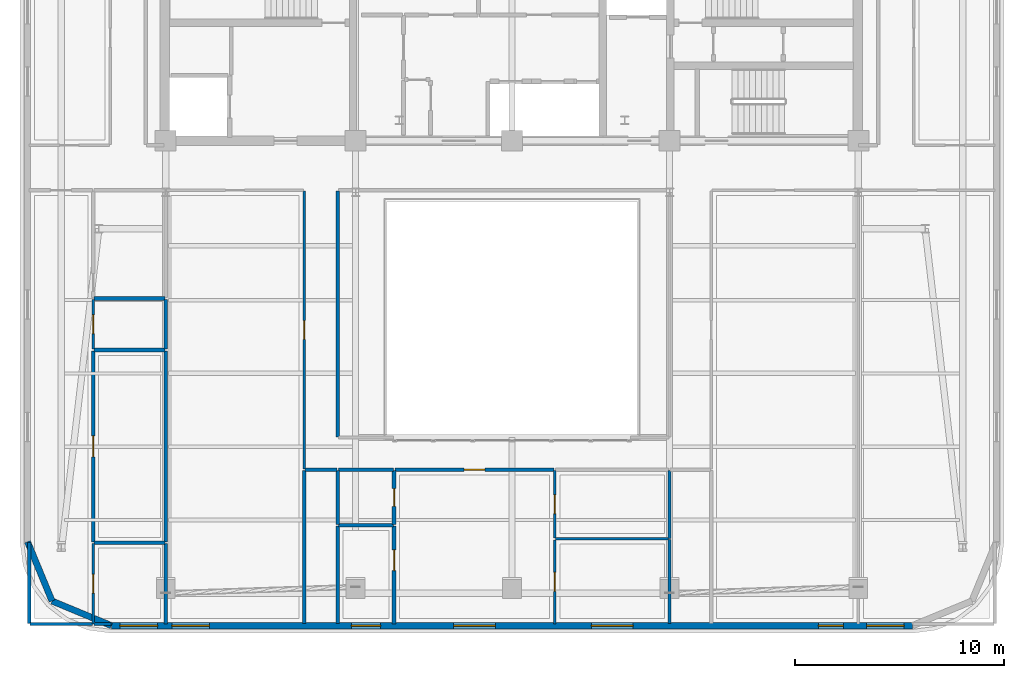
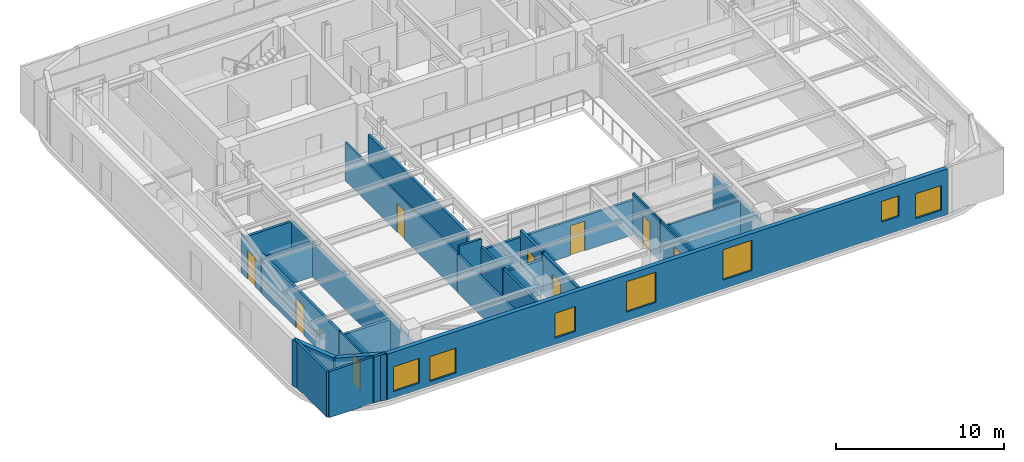
# One storey, part 6 of 14: 31 walls, 9 doors, 7 windows, 16 openings.
"""IFC4 building model written with IfcOpenShell, lengths in metres."""

from ifc_helpers import new_model, si_unit, direction, frame, frame_2d, origin, place, context, subcontext, project, spatial, rectangle, extrude, material, layer, layer_set, type_object, element, fill, save


model = new_model("IFC4")

# Units and contexts
model_context = context("Model", 3, precision=1e-05, world=origin(), true_north=direction((0.0, 1.0)))
body_context = subcontext(model_context, "Body", "Model", "MODEL_VIEW")
ifc_project = project(units=[si_unit("LENGTHUNIT", "METRE"), si_unit("AREAUNIT", "SQUARE_METRE"), si_unit("VOLUMEUNIT", "CUBIC_METRE"), si_unit("PLANEANGLEUNIT", "RADIAN"), si_unit("MASSUNIT", "GRAM", prefix="KILO")], contexts=[model_context])

# Site, building, storey
site_placement = place(None, origin())
site = spatial("IfcSite", under=ifc_project, at=site_placement, CompositionType="ELEMENT")
building_placement = place(site_placement, origin())
building = spatial("IfcBuilding", under=site, at=building_placement, Name="Zarnavel Station Tower", CompositionType="ELEMENT")
storey_placement = place(building_placement, frame((0.0, 0.0, 218.39990234375)))
storey = spatial("IfcBuildingStorey", under=building, at=storey_placement, Name="L59", CompositionType="ELEMENT", Elevation=218.39990234375)

# Walls
ifc_material_1 = material(Name="Precast concrete C45/55 (Dark Basalt Finish)", Category="masonry")
ifc_layer_1 = layer(ifc_material_1, 0.300048828125)
ifc_layer_set_1 = layer_set([ifc_layer_1], Name="EW_BASALT_300")
wall_type_1 = type_object("IfcWallType", Name="EW_BASALT_300", PredefinedType="SOLIDWALL", material=ifc_layer_set_1)
for number, where, z_axis, x_axis, name in (
    (1, (6.75732421875, 5.75732421875, 0.0), (0.0, 0.0, 1.0), (-0.382608747773, 0.923910464346, 0.0), "L59 Exterior Basalt Masonry Frame Wall 10"),
    (2, (9.60009765625, 4.580078125, 0.0), (0.0, 0.0, 1.0), (-0.923910464346, 0.382608747773, 0.0), "L59 Exterior Basalt Masonry Frame Wall 11"),
):
    element("IfcWall", number, at=place(storey_placement, frame(where, z_axis=z_axis, x_axis=x_axis)), inside=storey, type_object=wall_type_1, Name=name, PredefinedType="SOLIDWALL", context=body_context, shape_type="SweptSolid", body=[
        extrude(rectangle(XDim=3.076904296875, YDim=0.300048828125, at=frame_2d((1.53857421875, 0.0))), origin(), (0.0, 0.0, 1.0), 3.340087890625),
    ])

# Wall, openings, windows
wall_1_placement = place(storey_placement, frame((48.0, 4.580078125, 0.0), z_axis=(0.0, 0.0, 1.0), x_axis=(-1.0, 0.0, 0.0)))
wall_1 = element("IfcWall", 3, at=wall_1_placement, inside=storey, type_object=wall_type_1, Name="L59 Exterior Basalt Masonry Frame Wall 12", PredefinedType="SOLIDWALL", context=body_context, shape_type="SweptSolid", body=[
    extrude(rectangle(XDim=38.39990234375, YDim=0.300048828125, at=frame_2d((19.199951171875, 0.0))), origin(), (0.0, 0.0, 1.0), 3.340087890625),
])
opening_1_placement = place(wall_1_placement, frame((36.18994140625, 0.0, 0.47998046875)))
opening_1 = element("IfcOpeningElement", 4, at=opening_1_placement, cuts=wall_1, Name="Opening WN02", PredefinedType="OPENING", context=body_context, shape_type="SweptSolid", body=[
    extrude(rectangle(XDim=1.800048828125, YDim=1.800048828125, at=frame_2d((0.89990234375, 0.89990234375))), frame((0.0, 0.159912109375, 0.0), z_axis=(0.0, -1.0, 0.0), x_axis=(1.0, 0.0, 0.0)), (0.0, 0.0, 1.0), 0.320068359375),
])
opening_2_placement = place(wall_1_placement, frame((33.699951171875, 0.0, 0.340087890625)))
opening_2 = element("IfcOpeningElement", 5, at=opening_2_placement, cuts=wall_1, Name="Opening WN02", PredefinedType="OPENING", context=body_context, shape_type="SweptSolid", body=[
    extrude(rectangle(XDim=1.800048828125, YDim=1.800048828125, at=frame_2d((0.89990234375, 0.89990234375))), frame((0.0, 0.159912109375, 0.0), z_axis=(0.0, -1.0, 0.0), x_axis=(1.0, 0.0, 0.0)), (0.0, 0.0, 1.0), 0.320068359375),
])
opening_3_placement = place(wall_1_placement, frame((20.0, 0.0, 0.64990234375)))
opening_3 = element("IfcOpeningElement", 6, at=opening_3_placement, cuts=wall_1, Name="Opening WN07", PredefinedType="OPENING", context=body_context, shape_type="SweptSolid", body=[
    extrude(rectangle(XDim=2.0, YDim=2.199951171875, at=frame_2d((1.0, 1.10009765625))), frame((0.0, 0.159912109375, 0.0), z_axis=(0.0, -1.0, 0.0), x_axis=(1.0, 0.0, 0.0)), (0.0, 0.0, 1.0), 0.320068359375),
])
opening_4_placement = place(wall_1_placement, frame((25.5, 0.0, 0.47998046875)))
opening_4 = element("IfcOpeningElement", 7, at=opening_4_placement, cuts=wall_1, Name="Opening WN01", PredefinedType="OPENING", context=body_context, shape_type="SweptSolid", body=[
    extrude(rectangle(XDim=1.39990234375, YDim=1.800048828125, at=frame_2d((0.699951171875, 0.89990234375))), frame((0.0, 0.159912109375, 0.0), z_axis=(0.0, -1.0, 0.0), x_axis=(1.0, 0.0, 0.0)), (0.0, 0.0, 1.0), 0.320068359375),
])
opening_5_placement = place(wall_1_placement, frame((13.39990234375, 0.0, 0.64990234375)))
opening_5 = element("IfcOpeningElement", 8, at=opening_5_placement, cuts=wall_1, Name="Opening WN07", PredefinedType="OPENING", context=body_context, shape_type="SweptSolid", body=[
    extrude(rectangle(XDim=2.0, YDim=2.199951171875, at=frame_2d((1.0, 1.10009765625))), frame((0.0, 0.159912109375, 0.0), z_axis=(0.0, -1.0, 0.0), x_axis=(1.0, 0.0, 0.0)), (0.0, 0.0, 1.0), 0.320068359375),
])
opening_6_placement = place(wall_1_placement, frame((3.320068359375, 0.0, 1.050048828125)))
opening_6 = element("IfcOpeningElement", 9, at=opening_6_placement, cuts=wall_1, Name="Opening WN08", PredefinedType="OPENING", context=body_context, shape_type="SweptSolid", body=[
    extrude(rectangle(XDim=1.199951171875, YDim=1.5, at=frame_2d((0.60009765625, 0.75))), frame((0.0, 0.159912109375, 0.0), z_axis=(0.0, -1.0, 0.0), x_axis=(1.0, 0.0, 0.0)), (0.0, 0.0, 1.0), 0.320068359375),
])
opening_7_placement = place(wall_1_placement, frame((0.409912109375, 0.0, 0.47998046875)))
opening_7 = element("IfcOpeningElement", 10, at=opening_7_placement, cuts=wall_1, Name="Opening WN02", PredefinedType="OPENING", context=body_context, shape_type="SweptSolid", body=[
    extrude(rectangle(XDim=1.800048828125, YDim=1.800048828125, at=frame_2d((0.89990234375, 0.89990234375))), frame((0.0, 0.159912109375, 0.0), z_axis=(0.0, -1.0, 0.0), x_axis=(1.0, 0.0, 0.0)), (0.0, 0.0, 1.0), 0.320068359375),
])
ifc_material_2 = material(Name="Thermally Broken Black Aluminium and Low-E Dark Glass", Category="aluminium")
window_type_1 = type_object("IfcWindowType", Name="WN_1200x1500", PartitioningType="SINGLE_PANEL", PredefinedType="WINDOW", material=ifc_material_2)
window_1_placement = place(opening_6_placement, origin())
window_1 = element("IfcWindow", 11, at=window_1_placement, inside=storey, type_object=window_type_1, Name="L59 Recessed Facade Window 06", OverallHeight=1.5, OverallWidth=1.199951171875, PartitioningType="SINGLE_PANEL", PredefinedType="WINDOW", context=body_context, shape_type="SweptSolid", body=[
    extrude(rectangle(XDim=1.199951171875, YDim=1.5, at=frame_2d((0.60009765625, 0.75))), frame((0.0, 0.030029296875, 0.0), z_axis=(0.0, -1.0, 0.0), x_axis=(1.0, 0.0, 0.0)), (0.0, 0.0, 1.0), 0.06005859375),
])
fill(opening_6, window_1)
ifc_material_3 = material(Name="Thermally Broken Black Aluminium and Low-E Dark Glass", Category="aluminium")
window_type_2 = type_object("IfcWindowType", Name="WN_1400x1800", PartitioningType="DOUBLE_PANEL_VERTICAL", PredefinedType="WINDOW", material=ifc_material_3)
window_2_placement = place(opening_4_placement, origin())
window_2 = element("IfcWindow", 12, at=window_2_placement, inside=storey, type_object=window_type_2, Name="L59 Recessed Facade Window 04", OverallHeight=1.800048828125, OverallWidth=1.39990234375, PartitioningType="SINGLE_PANEL", PredefinedType="WINDOW", context=body_context, shape_type="SweptSolid", body=[
    extrude(rectangle(XDim=1.39990234375, YDim=1.800048828125, at=frame_2d((0.699951171875, 0.89990234375))), frame((0.0, 0.030029296875, 0.0), z_axis=(0.0, -1.0, 0.0), x_axis=(1.0, 0.0, 0.0)), (0.0, 0.0, 1.0), 0.06005859375),
])
fill(opening_4, window_2)
ifc_material_4 = material(Name="Thermally Broken Black Aluminium and Low-E Dark Glass", Category="aluminium")
window_type_3 = type_object("IfcWindowType", Name="WN_1800x1800", PartitioningType="DOUBLE_PANEL_VERTICAL", PredefinedType="WINDOW", material=ifc_material_4)
window_3_placement = place(opening_1_placement, origin())
window_3 = element("IfcWindow", 13, at=window_3_placement, inside=storey, type_object=window_type_3, Name="L59 Recessed Facade Window 01", OverallHeight=1.800048828125, OverallWidth=1.800048828125, PartitioningType="SINGLE_PANEL", PredefinedType="WINDOW", context=body_context, shape_type="SweptSolid", body=[
    extrude(rectangle(XDim=1.800048828125, YDim=1.800048828125, at=frame_2d((0.89990234375, 0.89990234375))), frame((0.0, 0.030029296875, 0.0), z_axis=(0.0, -1.0, 0.0), x_axis=(1.0, 0.0, 0.0)), (0.0, 0.0, 1.0), 0.06005859375),
])
fill(opening_1, window_3)
window_4_placement = place(opening_2_placement, origin())
window_4 = element("IfcWindow", 14, at=window_4_placement, inside=storey, type_object=window_type_3, Name="L59 Recessed Facade Window 02", OverallHeight=1.800048828125, OverallWidth=1.800048828125, PartitioningType="SINGLE_PANEL", PredefinedType="WINDOW", context=body_context, shape_type="SweptSolid", body=[
    extrude(rectangle(XDim=1.800048828125, YDim=1.800048828125, at=frame_2d((0.89990234375, 0.89990234375))), frame((0.0, 0.030029296875, 0.0), z_axis=(0.0, -1.0, 0.0), x_axis=(1.0, 0.0, 0.0)), (0.0, 0.0, 1.0), 0.06005859375),
])
fill(opening_2, window_4)
window_5_placement = place(opening_7_placement, origin())
window_5 = element("IfcWindow", 15, at=window_5_placement, inside=storey, type_object=window_type_3, Name="L59 Recessed Facade Window 07", OverallHeight=1.800048828125, OverallWidth=1.800048828125, PartitioningType="SINGLE_PANEL", PredefinedType="WINDOW", context=body_context, shape_type="SweptSolid", body=[
    extrude(rectangle(XDim=1.800048828125, YDim=1.800048828125, at=frame_2d((0.89990234375, 0.89990234375))), frame((0.0, 0.030029296875, 0.0), z_axis=(0.0, -1.0, 0.0), x_axis=(1.0, 0.0, 0.0)), (0.0, 0.0, 1.0), 0.06005859375),
])
fill(opening_7, window_5)
ifc_material_5 = material(Name="Thermally Broken Black Aluminium and Low-E Dark Glass", Category="aluminium")
window_type_4 = type_object("IfcWindowType", Name="WN_2000x2200", PartitioningType="TRIPLE_PANEL_VERTICAL", PredefinedType="WINDOW", material=ifc_material_5)
window_6_placement = place(opening_3_placement, origin())
window_6 = element("IfcWindow", 16, at=window_6_placement, inside=storey, type_object=window_type_4, Name="L59 Recessed Facade Window 03", OverallHeight=2.199951171875, OverallWidth=2.0, PartitioningType="SINGLE_PANEL", PredefinedType="WINDOW", context=body_context, shape_type="SweptSolid", body=[
    extrude(rectangle(XDim=2.0, YDim=2.199951171875, at=frame_2d((1.0, 1.10009765625))), frame((0.0, 0.030029296875, 0.0), z_axis=(0.0, -1.0, 0.0), x_axis=(1.0, 0.0, 0.0)), (0.0, 0.0, 1.0), 0.06005859375),
])
fill(opening_3, window_6)
window_7_placement = place(opening_5_placement, origin())
window_7 = element("IfcWindow", 17, at=window_7_placement, inside=storey, type_object=window_type_4, Name="L59 Recessed Facade Window 05", OverallHeight=2.199951171875, OverallWidth=2.0, PartitioningType="SINGLE_PANEL", PredefinedType="WINDOW", context=body_context, shape_type="SweptSolid", body=[
    extrude(rectangle(XDim=2.0, YDim=2.199951171875, at=frame_2d((1.0, 1.10009765625))), frame((0.0, 0.030029296875, 0.0), z_axis=(0.0, -1.0, 0.0), x_axis=(1.0, 0.0, 0.0)), (0.0, 0.0, 1.0), 0.06005859375),
])
fill(opening_5, window_7)

# Wall, opening, door
ifc_material_6 = material(Name="Gypsum Twin-Stud Acoustic Fire Partition", Category="concrete")
ifc_layer_2 = layer(ifc_material_6, 0.159912109375)
ifc_layer_set_2 = layer_set([ifc_layer_2], Name="PT_DEMISE_160")
wall_type_2 = type_object("IfcWallType", Name="PT_DEMISE_160", PredefinedType="PARTITIONING", material=ifc_layer_set_2)
wall_2_placement = place(storey_placement, frame((23.18994140625, 12.050048828125, 0.0), z_axis=(0.0, 0.0, 1.0), x_axis=(1.0, 0.0, 0.0)))
wall_2 = element("IfcWall", 18, at=wall_2_placement, inside=storey, type_object=wall_type_2, Name="L59 Partition COR-AS-US1LV", PredefinedType="PARTITIONING", context=body_context, shape_type="SweptSolid", body=[
    extrude(rectangle(XDim=7.6201171875, YDim=0.159912109375, at=frame_2d((3.81005859375, 0.0))), origin(), (0.0, 0.0, 1.0), 2.52001953125),
])
opening_8_placement = place(wall_2_placement, frame((3.31005859375, 0.0, 0.0)))
opening_8 = element("IfcOpeningElement", 19, at=opening_8_placement, cuts=wall_2, Name="Opening FD02", PredefinedType="OPENING", context=body_context, shape_type="SweptSolid", body=[
    extrude(rectangle(XDim=1.0, YDim=2.14990234375, at=frame_2d((0.5, 1.074951171875))), frame((0.0, 0.08984375, 0.0), z_axis=(0.0, -1.0, 0.0), x_axis=(1.0, 0.0, 0.0)), (0.0, 0.0, 1.0), 0.179931640625),
])
ifc_material_7 = material(Name="Painted Galvanised Steel and Hardwood Leaf", Category="steel")
door_type_1 = type_object("IfcDoorType", Name="ID_ENTRY_1000", OperationType="NOTDEFINED", PredefinedType="DOOR", material=ifc_material_7)
door_1_placement = place(opening_8_placement, origin())
door_1 = element("IfcDoor", 20, at=door_1_placement, inside=storey, type_object=door_type_1, Name="L59 Door COR-AS-US1LV", OperationType="SINGLE_SWING_RIGHT", OverallHeight=2.14990234375, OverallWidth=1.0, PredefinedType="DOOR", context=body_context, shape_type="SweptSolid", body=[
    extrude(rectangle(XDim=1.0, YDim=2.14990234375, at=frame_2d((0.5, 1.074951171875))), frame((0.0, 0.02490234375, 0.0), z_axis=(0.0, -1.0, 0.0), x_axis=(1.0, 0.0, 0.0)), (0.0, 0.0, 1.0), 0.050048828125),
])
fill(opening_8, door_1)

# Walls
wall_3_placement = place(storey_placement, frame((12.199951171875, 4.659912109375, 0.0), z_axis=(0.0, 0.0, 1.0), x_axis=(0.0, 1.0, 0.0)))
element("IfcWall", 21, at=wall_3_placement, inside=storey, type_object=wall_type_2, Name="L59 Partition UW1B1-L59LIB", PredefinedType="PARTITIONING", context=body_context, shape_type="SweptSolid", body=[
    extrude(rectangle(XDim=3.85498046875, YDim=0.159912109375, at=frame_2d((1.927490234375, 0.0))), origin(), (0.0, 0.0, 1.0), 2.52001953125),
])
wall_4_placement = place(storey_placement, frame((12.199951171875, 17.827880859375, 0.0), z_axis=(0.0, 0.0, 1.0), x_axis=(0.0, 1.0, 0.0)))
element("IfcWall", 22, at=wall_4_placement, inside=storey, type_object=wall_type_2, Name="L59 Partition UW1UT-L59LIB", PredefinedType="PARTITIONING", context=body_context, shape_type="SweptSolid", body=[
    extrude(rectangle(XDim=2.38916015625, YDim=0.159912109375, at=frame_2d((1.194580078125, 0.0))), origin(), (0.0, 0.0, 1.0), 2.52001953125),
])
wall_5_placement = place(storey_placement, frame((18.8798828125, 12.050048828125, 0.0), z_axis=(0.0, 0.0, 1.0), x_axis=(1.0, 0.0, 0.0)))
element("IfcWall", 23, at=wall_5_placement, inside=storey, type_object=wall_type_2, Name="L59 Enclosure Wall COR-AW", PredefinedType="PARTITIONING", context=body_context, shape_type="SweptSolid", body=[
    extrude(rectangle(XDim=1.5400390625, YDim=0.159912109375, at=frame_2d((0.77001953125, 0.0))), origin(), (0.0, 0.0, 1.0), 3.340087890625),
])
wall_6_placement = place(storey_placement, frame((20.449951171875, 13.6298828125, 0.0), z_axis=(0.0, 0.0, 1.0), x_axis=(0.0, 1.0, 0.0)))
element("IfcWall", 24, at=wall_6_placement, inside=storey, type_object=wall_type_2, Name="L59 Enclosure Wall COR-AW", PredefinedType="PARTITIONING", context=body_context, shape_type="SweptSolid", body=[
    extrude(rectangle(XDim=11.7900390625, YDim=0.159912109375, at=frame_2d((5.89501953125, 0.0))), origin(), (0.0, 0.0, 1.0), 2.77001953125),
])
wall_7_placement = place(storey_placement, frame((5.68994140625, 4.659912109375, 0.0), z_axis=(0.0, 0.0, 1.0), x_axis=(1.0, 0.0, 0.0)))
element("IfcWall", 25, at=wall_7_placement, inside=storey, type_object=wall_type_2, Name="L59 Enclosure Wall UW1LV", PredefinedType="PARTITIONING", context=body_context, shape_type="SweptSolid", body=[
    extrude(rectangle(XDim=3.01416015625, YDim=0.159912109375, at=frame_2d((1.507080078125, 0.0))), origin(), (0.0, 0.0, 1.0), 3.340087890625),
])
wall_8_placement = place(storey_placement, frame((5.659912109375, 4.68994140625, 0.0), z_axis=(0.0, 0.0, 1.0), x_axis=(0.0, 1.0, 0.0)))
element("IfcWall", 26, at=wall_8_placement, inside=storey, type_object=wall_type_2, Name="L59 Enclosure Wall UW1LV", PredefinedType="PARTITIONING", context=body_context, shape_type="SweptSolid", body=[
    extrude(rectangle(XDim=3.880126953125, YDim=0.159912109375, at=frame_2d((1.93994140625, 0.0))), origin(), (0.0, 0.0, 1.0), 3.340087890625),
])
wall_9_placement = place(storey_placement, frame((8.763916015625, 4.659912109375, 0.0), z_axis=(0.0, 0.0, 1.0), x_axis=(1.0, 0.0, 0.0)))
element("IfcWall", 27, at=wall_9_placement, inside=storey, type_object=wall_type_2, Name="L59 Enclosure Wall UW1B1", PredefinedType="PARTITIONING", context=body_context, shape_type="SweptSolid", body=[
    extrude(rectangle(XDim=0.80615234375, YDim=0.159912109375, at=frame_2d((0.403076171875, 0.0))), origin(), (0.0, 0.0, 1.0), 3.340087890625),
])
wall_10_placement = place(storey_placement, frame((18.85009765625, 4.68994140625, 0.0), z_axis=(0.0, 0.0, 1.0), x_axis=(0.0, 1.0, 0.0)))
element("IfcWall", 28, at=wall_10_placement, inside=storey, type_object=wall_type_2, Name="L59 Enclosure Wall L59LIB", PredefinedType="PARTITIONING", context=body_context, shape_type="SweptSolid", body=[
    extrude(rectangle(XDim=7.330078125, YDim=0.159912109375, at=frame_2d((3.6650390625, 0.0))), origin(), (0.0, 0.0, 1.0), 2.77001953125),
])
wall_11_placement = place(storey_placement, frame((20.449951171875, 4.68994140625, 0.0), z_axis=(0.0, 0.0, 1.0), x_axis=(0.0, 1.0, 0.0)))
element("IfcWall", 29, at=wall_11_placement, inside=storey, type_object=wall_type_2, Name="L59 Enclosure Wall US1KT", PredefinedType="PARTITIONING", context=body_context, shape_type="SweptSolid", body=[
    extrude(rectangle(XDim=4.670166015625, YDim=0.159912109375, at=frame_2d((2.3349609375, 0.0))), origin(), (0.0, 0.0, 1.0), 2.77001953125),
])
wall_12_placement = place(storey_placement, frame((20.449951171875, 9.419921875, 0.0), z_axis=(0.0, 0.0, 1.0), x_axis=(0.0, 1.0, 0.0)))
element("IfcWall", 30, at=wall_12_placement, inside=storey, type_object=wall_type_2, Name="L59 Enclosure Wall US1BA", PredefinedType="PARTITIONING", context=body_context, shape_type="SweptSolid", body=[
    extrude(rectangle(XDim=2.60009765625, YDim=0.159912109375, at=frame_2d((1.300048828125, 0.0))), origin(), (0.0, 0.0, 1.0), 2.77001953125),
])
wall_13_placement = place(storey_placement, frame((36.35009765625, 4.68994140625, 0.0), z_axis=(0.0, 0.0, 1.0), x_axis=(0.0, 1.0, 0.0)))
element("IfcWall", 31, at=wall_13_placement, inside=storey, type_object=wall_type_2, Name="L59 Enclosure Wall US1B1", PredefinedType="PARTITIONING", context=body_context, shape_type="SweptSolid", body=[
    extrude(rectangle(XDim=4.01513671875, YDim=0.159912109375, at=frame_2d((2.007568359375, 0.0))), origin(), (0.0, 0.0, 1.0), 2.52001953125),
])
wall_14_placement = place(storey_placement, frame((36.35009765625, 8.764892578125, 0.0), z_axis=(0.0, 0.0, 1.0), x_axis=(0.0, 1.0, 0.0)))
element("IfcWall", 32, at=wall_14_placement, inside=storey, type_object=wall_type_2, Name="L59 Enclosure Wall US1B2", PredefinedType="PARTITIONING", context=body_context, shape_type="SweptSolid", body=[
    extrude(rectangle(XDim=3.255126953125, YDim=0.159912109375, at=frame_2d((1.62744140625, 0.0))), origin(), (0.0, 0.0, 1.0), 2.52001953125),
])

# Wall, opening, door
ifc_material_8 = material(Name="Gypsum Metal-Stud Interior Partition", Category="concrete")
ifc_layer_3 = layer(ifc_material_8, 0.1201171875)
ifc_layer_set_3 = layer_set([ifc_layer_3], Name="PT_ROOM_120")
wall_type_3 = type_object("IfcWallType", Name="PT_ROOM_120", PredefinedType="PARTITIONING", material=ifc_layer_set_3)
wall_15_placement = place(storey_placement, frame((18.85009765625, 12.090087890625, 0.0), z_axis=(0.0, 0.0, 1.0), x_axis=(0.0, 1.0, 0.0)))
wall_15 = element("IfcWall", 33, at=wall_15_placement, inside=storey, type_object=wall_type_3, Name="L59 Partition COR-AW-L59LIB", PredefinedType="PARTITIONING", context=body_context, shape_type="SweptSolid", body=[
    extrude(rectangle(XDim=13.31982421875, YDim=0.1201171875, at=frame_2d((6.659912109375, 0.0))), origin(), (0.0, 0.0, 1.0), 2.77001953125),
])
opening_9_placement = place(wall_15_placement, frame((6.2099609375, 0.0, 0.0)))
opening_9 = element("IfcOpeningElement", 34, at=opening_9_placement, cuts=wall_15, Name="Opening ID01", PredefinedType="OPENING", context=body_context, shape_type="SweptSolid", body=[
    extrude(rectangle(XDim=0.89990234375, YDim=2.10009765625, at=frame_2d((0.449951171875, 1.050048828125))), frame((0.0, 0.070068359375, 0.0), z_axis=(0.0, -1.0, 0.0), x_axis=(1.0, 0.0, 0.0)), (0.0, 0.0, 1.0), 0.14013671875),
])
ifc_material_9 = material(Name="Painted Galvanised Steel and Hardwood Leaf", Category="steel")
door_type_2 = type_object("IfcDoorType", Name="ID_ROOM_900", OperationType="NOTDEFINED", PredefinedType="DOOR", material=ifc_material_9)
door_2_placement = place(opening_9_placement, origin())
door_2 = element("IfcDoor", 35, at=door_2_placement, inside=storey, type_object=door_type_2, Name="L59 Door COR-AW-L59LIB", OperationType="SINGLE_SWING_RIGHT", OverallHeight=2.10009765625, OverallWidth=0.89990234375, PredefinedType="DOOR", context=body_context, shape_type="SweptSolid", body=[
    extrude(rectangle(XDim=0.89990234375, YDim=2.10009765625, at=frame_2d((0.449951171875, 1.050048828125))), frame((0.0, 0.02490234375, 0.0), z_axis=(0.0, -1.0, 0.0), x_axis=(1.0, 0.0, 0.0)), (0.0, 0.0, 1.0), 0.050048828125),
])
fill(opening_9, door_2)

wall_16_placement = place(storey_placement, frame((8.73388671875, 4.659912109375, 0.0), z_axis=(0.0, 0.0, 1.0), x_axis=(0.0, 1.0, 0.0)))
wall_16 = element("IfcWall", 36, at=wall_16_placement, inside=storey, type_object=wall_type_3, Name="L59 Partition UW1LV-UW1B1", PredefinedType="PARTITIONING", context=body_context, shape_type="SweptSolid", body=[
    extrude(rectangle(XDim=3.85498046875, YDim=0.1201171875, at=frame_2d((1.927490234375, 0.0))), origin(), (0.0, 0.0, 1.0), 2.820068359375),
])
opening_10_placement = place(wall_16_placement, frame((1.4775390625, 0.0, 0.0)))
opening_10 = element("IfcOpeningElement", 37, at=opening_10_placement, cuts=wall_16, Name="Opening ID01", PredefinedType="OPENING", context=body_context, shape_type="SweptSolid", body=[
    extrude(rectangle(XDim=0.89990234375, YDim=2.10009765625, at=frame_2d((0.449951171875, 1.050048828125))), frame((0.0, 0.070068359375, 0.0), z_axis=(0.0, -1.0, 0.0), x_axis=(1.0, 0.0, 0.0)), (0.0, 0.0, 1.0), 0.14013671875),
])
door_3_placement = place(opening_10_placement, origin())
door_3 = element("IfcDoor", 38, at=door_3_placement, inside=storey, type_object=door_type_2, Name="L59 Door UW1LV-UW1B1", OperationType="SINGLE_SWING_RIGHT", OverallHeight=2.10009765625, OverallWidth=0.89990234375, PredefinedType="DOOR", context=body_context, shape_type="SweptSolid", body=[
    extrude(rectangle(XDim=0.89990234375, YDim=2.10009765625, at=frame_2d((0.449951171875, 1.050048828125))), frame((0.0, 0.02490234375, 0.0), z_axis=(0.0, -1.0, 0.0), x_axis=(1.0, 0.0, 0.0)), (0.0, 0.0, 1.0), 0.050048828125),
])
fill(opening_10, door_3)

wall_17_placement = place(storey_placement, frame((8.73388671875, 17.827880859375, 0.0), z_axis=(0.0, 0.0, 1.0), x_axis=(0.0, 1.0, 0.0)))
wall_17 = element("IfcWall", 39, at=wall_17_placement, inside=storey, type_object=wall_type_3, Name="L59 Partition UW1LV-UW1UT", PredefinedType="PARTITIONING", context=body_context, shape_type="SweptSolid", body=[
    extrude(rectangle(XDim=2.38916015625, YDim=0.1201171875, at=frame_2d((1.194580078125, 0.0))), origin(), (0.0, 0.0, 1.0), 2.820068359375),
])
opening_11_placement = place(wall_17_placement, frame((0.744384765625, 0.0, 0.0)))
opening_11 = element("IfcOpeningElement", 40, at=opening_11_placement, cuts=wall_17, Name="Opening ID01", PredefinedType="OPENING", context=body_context, shape_type="SweptSolid", body=[
    extrude(rectangle(XDim=0.89990234375, YDim=2.10009765625, at=frame_2d((0.449951171875, 1.050048828125))), frame((0.0, 0.070068359375, 0.0), z_axis=(0.0, -1.0, 0.0), x_axis=(1.0, 0.0, 0.0)), (0.0, 0.0, 1.0), 0.14013671875),
])
door_4_placement = place(opening_11_placement, origin())
door_4 = element("IfcDoor", 41, at=door_4_placement, inside=storey, type_object=door_type_2, Name="L59 Door UW1LV-UW1UT", OperationType="SINGLE_SWING_RIGHT", OverallHeight=2.10009765625, OverallWidth=0.89990234375, PredefinedType="DOOR", context=body_context, shape_type="SweptSolid", body=[
    extrude(rectangle(XDim=0.89990234375, YDim=2.10009765625, at=frame_2d((0.449951171875, 1.050048828125))), frame((0.0, 0.02490234375, 0.0), z_axis=(0.0, -1.0, 0.0), x_axis=(1.0, 0.0, 0.0)), (0.0, 0.0, 1.0), 0.050048828125),
])
fill(opening_11, door_4)

wall_18_placement = place(storey_placement, frame((30.85009765625, 4.659912109375, 0.0), z_axis=(0.0, 0.0, 1.0), x_axis=(0.0, 1.0, 0.0)))
wall_18 = element("IfcWall", 42, at=wall_18_placement, inside=storey, type_object=wall_type_3, Name="L59 Partition US1LV-US1B1", PredefinedType="PARTITIONING", context=body_context, shape_type="SweptSolid", body=[
    extrude(rectangle(XDim=4.03515625, YDim=0.1201171875, at=frame_2d((2.017578125, 0.0))), origin(), (0.0, 0.0, 1.0), 3.0),
])
opening_12_placement = place(wall_18_placement, frame((1.5673828125, 0.0, 0.0)))
opening_12 = element("IfcOpeningElement", 43, at=opening_12_placement, cuts=wall_18, Name="Opening ID01", PredefinedType="OPENING", context=body_context, shape_type="SweptSolid", body=[
    extrude(rectangle(XDim=0.89990234375, YDim=2.10009765625, at=frame_2d((0.449951171875, 1.050048828125))), frame((0.0, 0.070068359375, 0.0), z_axis=(0.0, -1.0, 0.0), x_axis=(1.0, 0.0, 0.0)), (0.0, 0.0, 1.0), 0.14013671875),
])
door_5_placement = place(opening_12_placement, origin())
door_5 = element("IfcDoor", 44, at=door_5_placement, inside=storey, type_object=door_type_2, Name="L59 Door US1LV-US1B1", OperationType="SINGLE_SWING_RIGHT", OverallHeight=2.10009765625, OverallWidth=0.89990234375, PredefinedType="DOOR", context=body_context, shape_type="SweptSolid", body=[
    extrude(rectangle(XDim=0.89990234375, YDim=2.10009765625, at=frame_2d((0.449951171875, 1.050048828125))), frame((0.0, 0.02490234375, 0.0), z_axis=(0.0, -1.0, 0.0), x_axis=(1.0, 0.0, 0.0)), (0.0, 0.0, 1.0), 0.050048828125),
])
fill(opening_12, door_5)

wall_19_placement = place(storey_placement, frame((30.85009765625, 8.77490234375, 0.0), z_axis=(0.0, 0.0, 1.0), x_axis=(0.0, 1.0, 0.0)))
wall_19 = element("IfcWall", 45, at=wall_19_placement, inside=storey, type_object=wall_type_3, Name="L59 Partition US1LV-US1B2", PredefinedType="PARTITIONING", context=body_context, shape_type="SweptSolid", body=[
    extrude(rectangle(XDim=3.235107421875, YDim=0.1201171875, at=frame_2d((1.61767578125, 0.0))), origin(), (0.0, 0.0, 1.0), 3.02001953125),
])
opening_13_placement = place(wall_19_placement, frame((1.16748046875, 0.0, 0.0)))
opening_13 = element("IfcOpeningElement", 46, at=opening_13_placement, cuts=wall_19, Name="Opening ID01", PredefinedType="OPENING", context=body_context, shape_type="SweptSolid", body=[
    extrude(rectangle(XDim=0.89990234375, YDim=2.10009765625, at=frame_2d((0.449951171875, 1.050048828125))), frame((0.0, 0.070068359375, 0.0), z_axis=(0.0, -1.0, 0.0), x_axis=(1.0, 0.0, 0.0)), (0.0, 0.0, 1.0), 0.14013671875),
])
door_6_placement = place(opening_13_placement, origin())
door_6 = element("IfcDoor", 47, at=door_6_placement, inside=storey, type_object=door_type_2, Name="L59 Door US1LV-US1B2", OperationType="SINGLE_SWING_LEFT", OverallHeight=2.10009765625, OverallWidth=0.89990234375, PredefinedType="DOOR", context=body_context, shape_type="SweptSolid", body=[
    extrude(rectangle(XDim=0.89990234375, YDim=2.10009765625, at=frame_2d((0.449951171875, 1.050048828125))), frame((0.0, 0.02490234375, 0.0), z_axis=(0.0, -1.0, 0.0), x_axis=(1.0, 0.0, 0.0)), (0.0, 0.0, 1.0), 0.050048828125),
])
fill(opening_13, door_6)

# Walls
wall_20_placement = place(storey_placement, frame((30.889892578125, 8.735107421875, 0.0), z_axis=(0.0, 0.0, 1.0), x_axis=(1.0, 0.0, 0.0)))
element("IfcWall", 48, at=wall_20_placement, inside=storey, type_object=wall_type_3, Name="L59 Partition US1B1-US1B2", PredefinedType="PARTITIONING", context=body_context, shape_type="SweptSolid", body=[
    extrude(rectangle(XDim=5.420166015625, YDim=0.1201171875, at=frame_2d((2.7099609375, 0.0))), origin(), (0.0, 0.0, 1.0), 2.52001953125),
])
ifc_material_10 = material(Name="Moisture-Resistant Plumbing Chase Wall", Category="concrete")
ifc_layer_4 = layer(ifc_material_10, 0.179931640625)
ifc_layer_set_4 = layer_set([ifc_layer_4], Name="PW_PLUMB_180")
wall_type_4 = type_object("IfcWallType", Name="PW_PLUMB_180", PredefinedType="PLUMBINGWALL", material=ifc_layer_set_4)
wall_21_placement = place(storey_placement, frame((20.489990234375, 12.050048828125, 0.0), z_axis=(0.0, 0.0, 1.0), x_axis=(1.0, 0.0, 0.0)))
element("IfcWall", 49, at=wall_21_placement, inside=storey, type_object=wall_type_4, Name="L59 Partition COR-AS-US1BA", PredefinedType="PLUMBINGWALL", context=body_context, shape_type="SweptSolid", body=[
    extrude(rectangle(XDim=2.6201171875, YDim=0.179931640625, at=frame_2d((1.31005859375, 0.0))), origin(), (0.0, 0.0, 1.0), 2.52001953125),
])

# Wall, opening, door
wall_22_placement = place(storey_placement, frame((8.73388671875, 8.594970703125, 0.0), z_axis=(0.0, 0.0, 1.0), x_axis=(0.0, 1.0, 0.0)))
wall_22 = element("IfcWall", 50, at=wall_22_placement, inside=storey, type_object=wall_type_4, Name="L59 Partition UW1LV-UW1KT", PredefinedType="PLUMBINGWALL", context=body_context, shape_type="SweptSolid", body=[
    extrude(rectangle(XDim=9.153076171875, YDim=0.179931640625, at=frame_2d((4.57666015625, 0.0))), origin(), (0.0, 0.0, 1.0), 2.820068359375),
])
opening_14_placement = place(wall_22_placement, frame((4.076416015625, 0.0, 0.0)))
opening_14 = element("IfcOpeningElement", 51, at=opening_14_placement, cuts=wall_22, Name="Opening FD02", PredefinedType="OPENING", context=body_context, shape_type="SweptSolid", body=[
    extrude(rectangle(XDim=1.0, YDim=2.14990234375, at=frame_2d((0.5, 1.074951171875))), frame((0.0, 0.099853515625, 0.0), z_axis=(0.0, -1.0, 0.0), x_axis=(1.0, 0.0, 0.0)), (0.0, 0.0, 1.0), 0.199951171875),
])
door_7_placement = place(opening_14_placement, origin())
door_7 = element("IfcDoor", 52, at=door_7_placement, inside=storey, type_object=door_type_1, Name="L59 Door UW1LV-UW1KT", OperationType="SINGLE_SWING_LEFT", OverallHeight=2.14990234375, OverallWidth=1.0, PredefinedType="DOOR", context=body_context, shape_type="SweptSolid", body=[
    extrude(rectangle(XDim=1.0, YDim=2.14990234375, at=frame_2d((0.5, 1.074951171875))), frame((0.0, 0.02490234375, 0.0), z_axis=(0.0, -1.0, 0.0), x_axis=(1.0, 0.0, 0.0)), (0.0, 0.0, 1.0), 0.050048828125),
])
fill(opening_14, door_7)

# Walls
for number, where, z_axis, x_axis, name in (
    (53, (8.77392578125, 8.554931640625, 0.0), (0.0, 0.0, 1.0), (1.0, 0.0, 0.0), "L59 Partition UW1B1-UW1KT"),
    (54, (8.77392578125, 17.7880859375, 0.0), (0.0, 0.0, 1.0), (1.0, 0.0, 0.0), "L59 Partition UW1KT-UW1UT"),
):
    element("IfcWall", number, at=place(storey_placement, frame(where, z_axis=z_axis, x_axis=x_axis)), inside=storey, type_object=wall_type_4, Name=name, PredefinedType="PLUMBINGWALL", context=body_context, shape_type="SweptSolid", body=[
        extrude(rectangle(XDim=3.385986328125, YDim=0.179931640625, at=frame_2d((1.69287109375, 0.0))), origin(), (0.0, 0.0, 1.0), 2.52001953125),
    ])
wall_23_placement = place(storey_placement, frame((12.199951171875, 8.594970703125, 0.0), z_axis=(0.0, 0.0, 1.0), x_axis=(0.0, 1.0, 0.0)))
element("IfcWall", 55, at=wall_23_placement, inside=storey, type_object=wall_type_4, Name="L59 Partition UW1KT-L59LIB", PredefinedType="PLUMBINGWALL", context=body_context, shape_type="SweptSolid", body=[
    extrude(rectangle(XDim=9.153076171875, YDim=0.179931640625, at=frame_2d((4.57666015625, 0.0))), origin(), (0.0, 0.0, 1.0), 2.52001953125),
])
wall_24_placement = place(storey_placement, frame((8.77392578125, 20.257080078125, 0.0), z_axis=(0.0, 0.0, 1.0), x_axis=(1.0, 0.0, 0.0)))
element("IfcWall", 56, at=wall_24_placement, inside=storey, type_object=wall_type_4, Name="L59 Partition UW1UT-UW1BA", PredefinedType="PLUMBINGWALL", context=body_context, shape_type="SweptSolid", body=[
    extrude(rectangle(XDim=3.385986328125, YDim=0.179931640625, at=frame_2d((1.69287109375, 0.0))), origin(), (0.0, 0.0, 1.0), 2.52001953125),
])

# Wall, opening, door
wall_25_placement = place(storey_placement, frame((23.14990234375, 4.659912109375, 0.0), z_axis=(0.0, 0.0, 1.0), x_axis=(0.0, 1.0, 0.0)))
wall_25 = element("IfcWall", 57, at=wall_25_placement, inside=storey, type_object=wall_type_4, Name="L59 Partition US1LV-US1KT", PredefinedType="PLUMBINGWALL", context=body_context, shape_type="SweptSolid", body=[
    extrude(rectangle(XDim=4.690185546875, YDim=0.179931640625, at=frame_2d((2.34521484375, 0.0))), origin(), (0.0, 0.0, 1.0), 3.0),
])
opening_15_placement = place(wall_25_placement, frame((2.555419921875, 0.0, 0.0)))
opening_15 = element("IfcOpeningElement", 58, at=opening_15_placement, cuts=wall_25, Name="Opening FD02", PredefinedType="OPENING", context=body_context, shape_type="SweptSolid", body=[
    extrude(rectangle(XDim=1.0, YDim=2.14990234375, at=frame_2d((0.5, 1.074951171875))), frame((0.0, 0.099853515625, 0.0), z_axis=(0.0, -1.0, 0.0), x_axis=(1.0, 0.0, 0.0)), (0.0, 0.0, 1.0), 0.199951171875),
])
door_8_placement = place(opening_15_placement, origin())
door_8 = element("IfcDoor", 59, at=door_8_placement, inside=storey, type_object=door_type_1, Name="L59 Door US1LV-US1KT", OperationType="SINGLE_SWING_RIGHT", OverallHeight=2.14990234375, OverallWidth=1.0, PredefinedType="DOOR", context=body_context, shape_type="SweptSolid", body=[
    extrude(rectangle(XDim=1.0, YDim=2.14990234375, at=frame_2d((0.5, 1.074951171875))), frame((0.0, 0.02490234375, 0.0), z_axis=(0.0, -1.0, 0.0), x_axis=(1.0, 0.0, 0.0)), (0.0, 0.0, 1.0), 0.050048828125),
])
fill(opening_15, door_8)

wall_26_placement = place(storey_placement, frame((23.14990234375, 9.429931640625, 0.0), z_axis=(0.0, 0.0, 1.0), x_axis=(0.0, 1.0, 0.0)))
wall_26 = element("IfcWall", 60, at=wall_26_placement, inside=storey, type_object=wall_type_4, Name="L59 Partition US1LV-US1BA", PredefinedType="PLUMBINGWALL", context=body_context, shape_type="SweptSolid", body=[
    extrude(rectangle(XDim=2.580078125, YDim=0.179931640625, at=frame_2d((1.2900390625, 0.0))), origin(), (0.0, 0.0, 1.0), 3.02001953125),
])
opening_16_placement = place(wall_26_placement, frame((0.864990234375, 0.0, 0.0)))
opening_16 = element("IfcOpeningElement", 61, at=opening_16_placement, cuts=wall_26, Name="Opening ID02", PredefinedType="OPENING", context=body_context, shape_type="SweptSolid", body=[
    extrude(rectangle(XDim=0.85009765625, YDim=2.10009765625, at=frame_2d((0.425048828125, 1.050048828125))), frame((0.0, 0.099853515625, 0.0), z_axis=(0.0, -1.0, 0.0), x_axis=(1.0, 0.0, 0.0)), (0.0, 0.0, 1.0), 0.199951171875),
])
ifc_material_11 = material(Name="Painted Galvanised Steel and Hardwood Leaf", Category="steel")
door_type_3 = type_object("IfcDoorType", Name="ID_BATH_850", OperationType="NOTDEFINED", PredefinedType="DOOR", material=ifc_material_11)
door_9_placement = place(opening_16_placement, origin())
door_9 = element("IfcDoor", 62, at=door_9_placement, inside=storey, type_object=door_type_3, Name="L59 Door US1LV-US1BA", OperationType="SINGLE_SWING_LEFT", OverallHeight=2.10009765625, OverallWidth=0.85009765625, PredefinedType="DOOR", context=body_context, shape_type="SweptSolid", body=[
    extrude(rectangle(XDim=0.85009765625, YDim=2.10009765625, at=frame_2d((0.425048828125, 1.050048828125))), frame((0.0, 0.02490234375, 0.0), z_axis=(0.0, -1.0, 0.0), x_axis=(1.0, 0.0, 0.0)), (0.0, 0.0, 1.0), 0.050048828125),
])
fill(opening_16, door_9)

# Wall
wall_27_placement = place(storey_placement, frame((20.489990234375, 9.389892578125, 0.0), z_axis=(0.0, 0.0, 1.0), x_axis=(1.0, 0.0, 0.0)))
element("IfcWall", 63, at=wall_27_placement, inside=storey, type_object=wall_type_4, Name="L59 Partition US1KT-US1BA", PredefinedType="PLUMBINGWALL", context=body_context, shape_type="SweptSolid", body=[
    extrude(rectangle(XDim=2.6201171875, YDim=0.179931640625, at=frame_2d((1.31005859375, 0.0))), origin(), (0.0, 0.0, 1.0), 2.52001953125),
])

save(model, "model.ifc")
